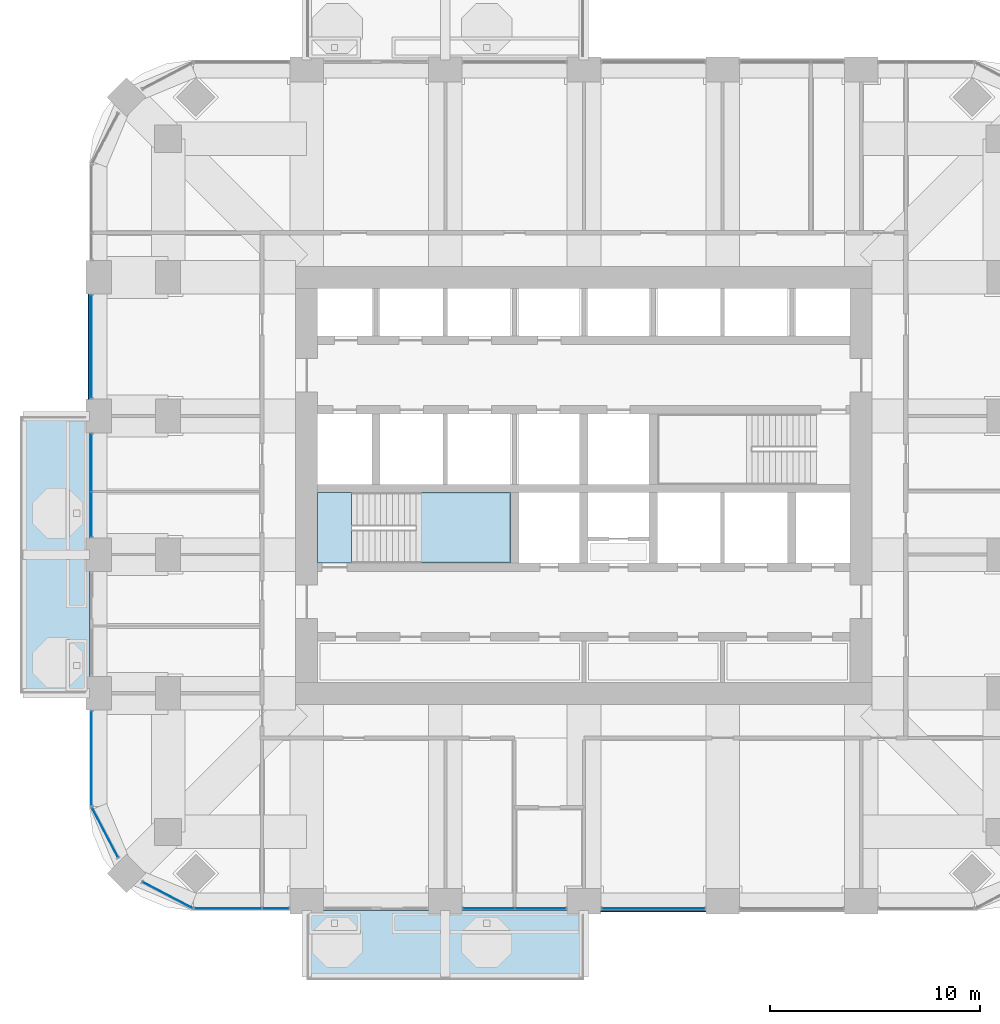
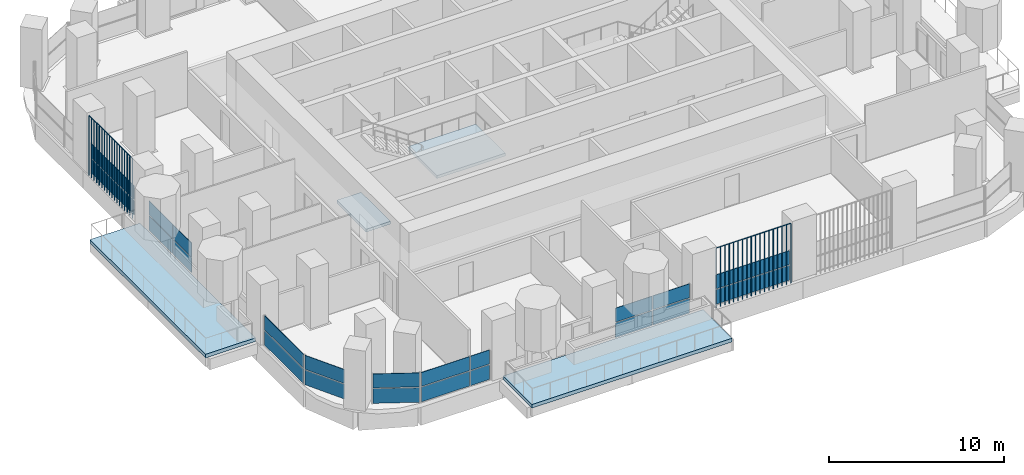
# One storey, part 8 of 20: 24 plates, 4 slabs, 9 elements without a shape of their own.
"""IFC4 building model written with IfcOpenShell, lengths in metres."""

from ifc_helpers import new_model, si_unit, direction, frame, origin, origin_2d, place, context, subcontext, project, spatial, polyline, rectangle, outline, extrude, material, layer, layer_set, type_object, element, aggregate, save


model = new_model("IFC4")

# Units and contexts
model_context = context("Model", 3, precision=1e-05, world=origin(), true_north=direction((0.0, 1.0)))
body_context = subcontext(model_context, "Body", "Model", "MODEL_VIEW")
ifc_project = project(units=[si_unit("LENGTHUNIT", "METRE"), si_unit("AREAUNIT", "SQUARE_METRE"), si_unit("VOLUMEUNIT", "CUBIC_METRE"), si_unit("PLANEANGLEUNIT", "RADIAN"), si_unit("MASSUNIT", "GRAM", prefix="KILO")], contexts=[model_context])

# Site, building, storey
site_placement = place(None, origin())
site = spatial("IfcSite", under=ifc_project, at=site_placement, CompositionType="ELEMENT")
building_placement = place(site_placement, origin())
building = spatial("IfcBuilding", under=site, at=building_placement, Name="Cobogo Forest Laboratory Tower", CompositionType="ELEMENT")
storey_placement = place(building_placement, frame((0.0, 0.0, 218.699951171875)))
storey = spatial("IfcBuildingStorey", under=building, at=storey_placement, Name="L50", CompositionType="ELEMENT", Elevation=218.699951171875)

# Slabs
ifc_material_1 = material(Name="Concrete HA-40 (C40/50)", Category="concrete")
ifc_layer_1 = layer(ifc_material_1, 0.25)
ifc_layer_set_1 = layer_set([ifc_layer_1], Name="Balcony slab 250")
slab_type_1 = type_object("IfcSlabType", Name="Balcony slab 250", PredefinedType="FLOOR", material=ifc_layer_set_1)
slab_1_placement = place(storey_placement, frame((0.0, 0.0, -0.25)))
element("IfcSlab", 1, at=slab_1_placement, inside=storey, type_object=slab_type_1, Name="Balcony BAL-S1 L50", PredefinedType="FLOOR", context=body_context, shape_type="SweptSolid", body=[
    extrude(outline(polyline([(13.199951171875, -0.449951171875), (26.39990234375, -0.449951171875), (26.39990234375, 2.85009765625), (13.199951171875, 2.85009765625), (13.199951171875, -0.449951171875)])), origin(), (0.0, 0.0, 1.0), 0.25),
])
slab_2_placement = place(storey_placement, frame((0.0, 0.0, -0.25)))
element("IfcSlab", 2, at=slab_2_placement, inside=storey, type_object=slab_type_1, Name="Balcony BAL-W1 L50", PredefinedType="FLOOR", context=body_context, shape_type="SweptSolid", body=[
    extrude(outline(polyline([(-0.449951171875, 13.199951171875), (2.85009765625, 13.199951171875), (2.85009765625, 26.39990234375), (-0.449951171875, 26.39990234375), (-0.449951171875, 13.199951171875)])), origin(), (0.0, 0.0, 1.0), 0.25),
])

# Curtain wall, plates
ifc_material_2 = material(Name="Aluminium curtain wall", Category="aluminium")
curtain_wall_type = type_object("IfcCurtainWallType", Name="CW-2 unitised curtain wall, solar control glazing, laboratory floors zones C and D", PredefinedType="USERDEFINED", material=ifc_material_2)
curtain_wall_1_placement = place(storey_placement, origin())
curtain_wall_1 = element("IfcCurtainWall", 3, at=curtain_wall_1_placement, inside=storey, type_object=curtain_wall_type, Name="Curtain wall 01 L50", ObjectType="UNITISED CURTAIN WALL", PredefinedType="USERDEFINED")
ifc_material_3 = material(Name="Solar control insulated glass", Category="glass")
ifc_layer_2 = layer(ifc_material_3, 0.031982421875)
ifc_layer_set_2 = layer_set([ifc_layer_2], Name="GP-2 solar control glass unit 32")
plate_type_1 = type_object("IfcPlateType", Name="GP-2 solar control glass unit 32", PredefinedType="CURTAIN_PANEL", material=ifc_layer_set_2)
plate_1_placement = place(storey_placement, frame((9.452392578125, 2.949951171875, 0.0), z_axis=(0.0, 0.0, 1.0), x_axis=(1.0, 0.0, 0.0)))
plate_1 = element("IfcPlate", 4, at=plate_1_placement, type_object=plate_type_1, Name="CW-2 panel 1.1", PredefinedType="CURTAIN_PANEL", context=body_context, shape_type="SweptSolid", body=[
    extrude(rectangle(XDim=3.18505859375, YDim=0.031982421875, at=origin_2d()), origin(), (0.0, 0.0, 1.0), 1.02001953125),
])
plate_2_placement = place(storey_placement, frame((9.452392578125, 2.949951171875, 1.080078125), z_axis=(0.0, 0.0, 1.0), x_axis=(1.0, 0.0, 0.0)))
plate_2 = element("IfcPlate", 5, at=plate_2_placement, type_object=plate_type_1, Name="CW-2 panel 1.2", PredefinedType="CURTAIN_PANEL", context=body_context, shape_type="SweptSolid", body=[
    extrude(rectangle(XDim=3.18505859375, YDim=0.031982421875, at=origin_2d()), origin(), (0.0, 0.0, 1.0), 0.969970703125),
])
plate_3_placement = place(storey_placement, frame((11.722412109375, 2.949951171875, 0.0), z_axis=(0.0, 0.0, 1.0), x_axis=(1.0, 0.0, 0.0)))
plate_3 = element("IfcPlate", 6, at=plate_3_placement, type_object=plate_type_1, Name="CW-2 panel 2.1", PredefinedType="CURTAIN_PANEL", context=body_context, shape_type="SweptSolid", body=[
    extrude(rectangle(XDim=1.235107421875, YDim=0.031982421875, at=origin_2d()), origin(), (0.0, 0.0, 1.0), 1.02001953125),
])
plate_4_placement = place(storey_placement, frame((11.722412109375, 2.949951171875, 1.080078125), z_axis=(0.0, 0.0, 1.0), x_axis=(1.0, 0.0, 0.0)))
plate_4 = element("IfcPlate", 7, at=plate_4_placement, type_object=plate_type_1, Name="CW-2 panel 2.2", PredefinedType="CURTAIN_PANEL", context=body_context, shape_type="SweptSolid", body=[
    extrude(rectangle(XDim=1.235107421875, YDim=0.031982421875, at=origin_2d()), origin(), (0.0, 0.0, 1.0), 0.969970703125),
])
aggregate(curtain_wall_1, [plate_1, plate_2, plate_3, plate_4])

curtain_wall_2_placement = place(storey_placement, origin())
curtain_wall_2 = element("IfcCurtainWall", 8, at=curtain_wall_2_placement, inside=storey, type_object=curtain_wall_type, Name="Curtain wall 03 L50", ObjectType="UNITISED CURTAIN WALL", PredefinedType="USERDEFINED")
plate_5_placement = place(storey_placement, frame((21.864990234375, 2.949951171875, 0.0), z_axis=(0.0, 0.0, 1.0), x_axis=(1.0, 0.0, 0.0)))
plate_5 = element("IfcPlate", 9, at=plate_5_placement, type_object=plate_type_1, Name="CW-2 panel 1.1", PredefinedType="CURTAIN_PANEL", context=body_context, shape_type="SweptSolid", body=[
    extrude(rectangle(XDim=2.409912109375, YDim=0.031982421875, at=origin_2d()), origin(), (0.0, 0.0, 1.0), 1.02001953125),
])
plate_6_placement = place(storey_placement, frame((21.864990234375, 2.949951171875, 1.080078125), z_axis=(0.0, 0.0, 1.0), x_axis=(1.0, 0.0, 0.0)))
plate_6 = element("IfcPlate", 10, at=plate_6_placement, type_object=plate_type_1, Name="CW-2 panel 1.2", PredefinedType="CURTAIN_PANEL", context=body_context, shape_type="SweptSolid", body=[
    extrude(rectangle(XDim=2.409912109375, YDim=0.031982421875, at=origin_2d()), origin(), (0.0, 0.0, 1.0), 0.969970703125),
])
plate_7_placement = place(storey_placement, frame((24.3349609375, 2.949951171875, 0.0), z_axis=(0.0, 0.0, 1.0), x_axis=(1.0, 0.0, 0.0)))
plate_7 = element("IfcPlate", 11, at=plate_7_placement, type_object=plate_type_1, Name="CW-2 panel 2.1", PredefinedType="CURTAIN_PANEL", context=body_context, shape_type="SweptSolid", body=[
    extrude(rectangle(XDim=2.409912109375, YDim=0.031982421875, at=origin_2d()), origin(), (0.0, 0.0, 1.0), 1.02001953125),
])
plate_8_placement = place(storey_placement, frame((24.3349609375, 2.949951171875, 1.080078125), z_axis=(0.0, 0.0, 1.0), x_axis=(1.0, 0.0, 0.0)))
plate_8 = element("IfcPlate", 12, at=plate_8_placement, type_object=plate_type_1, Name="CW-2 panel 2.2", PredefinedType="CURTAIN_PANEL", context=body_context, shape_type="SweptSolid", body=[
    extrude(rectangle(XDim=2.409912109375, YDim=0.031982421875, at=origin_2d()), origin(), (0.0, 0.0, 1.0), 0.969970703125),
])
aggregate(curtain_wall_2, [plate_5, plate_6, plate_7, plate_8])

curtain_wall_3_placement = place(storey_placement, origin())
curtain_wall_3 = element("IfcCurtainWall", 13, at=curtain_wall_3_placement, inside=storey, type_object=curtain_wall_type, Name="Curtain wall 04 L50", ObjectType="UNITISED CURTAIN WALL", PredefinedType="USERDEFINED")
plate_9_placement = place(storey_placement, frame((29.699951171875, 2.949951171875, 0.0), z_axis=(0.0, 0.0, 1.0), x_axis=(1.0, 0.0, 0.0)))
plate_9 = element("IfcPlate", 14, at=plate_9_placement, type_object=plate_type_1, Name="CW-2 panel 1.1", PredefinedType="CURTAIN_PANEL", context=body_context, shape_type="SweptSolid", body=[
    extrude(rectangle(XDim=4.8798828125, YDim=0.031982421875, at=origin_2d()), origin(), (0.0, 0.0, 1.0), 1.02001953125),
])
plate_10_placement = place(storey_placement, frame((29.699951171875, 2.949951171875, 1.080078125), z_axis=(0.0, 0.0, 1.0), x_axis=(1.0, 0.0, 0.0)))
plate_10 = element("IfcPlate", 15, at=plate_10_placement, type_object=plate_type_1, Name="CW-2 panel 1.2", PredefinedType="CURTAIN_PANEL", context=body_context, shape_type="SweptSolid", body=[
    extrude(rectangle(XDim=4.8798828125, YDim=0.031982421875, at=origin_2d()), origin(), (0.0, 0.0, 1.0), 0.969970703125),
])
aggregate(curtain_wall_3, [plate_9, plate_10])

curtain_wall_4_placement = place(storey_placement, origin())
curtain_wall_4 = element("IfcCurtainWall", 16, at=curtain_wall_4_placement, inside=storey, type_object=curtain_wall_type, Name="Curtain wall 25 L50", ObjectType="UNITISED CURTAIN WALL", PredefinedType="USERDEFINED")
plate_11_placement = place(storey_placement, frame((2.949951171875, 29.699951171875, 0.0), z_axis=(0.0, 0.0, 1.0), x_axis=(0.0, -1.0, 0.0)))
plate_11 = element("IfcPlate", 17, at=plate_11_placement, type_object=plate_type_1, Name="CW-2 panel 1.1", PredefinedType="CURTAIN_PANEL", context=body_context, shape_type="SweptSolid", body=[
    extrude(rectangle(XDim=4.8798828125, YDim=0.031982421875, at=origin_2d()), origin(), (0.0, 0.0, 1.0), 1.02001953125),
])
plate_12_placement = place(storey_placement, frame((2.949951171875, 29.699951171875, 1.080078125), z_axis=(0.0, 0.0, 1.0), x_axis=(0.0, -1.0, 0.0)))
plate_12 = element("IfcPlate", 18, at=plate_12_placement, type_object=plate_type_1, Name="CW-2 panel 1.2", PredefinedType="CURTAIN_PANEL", context=body_context, shape_type="SweptSolid", body=[
    extrude(rectangle(XDim=4.8798828125, YDim=0.031982421875, at=origin_2d()), origin(), (0.0, 0.0, 1.0), 0.969970703125),
])
aggregate(curtain_wall_4, [plate_11, plate_12])

curtain_wall_5_placement = place(storey_placement, origin())
curtain_wall_5 = element("IfcCurtainWall", 19, at=curtain_wall_5_placement, inside=storey, type_object=curtain_wall_type, Name="Curtain wall 26 L50", ObjectType="UNITISED CURTAIN WALL", PredefinedType="USERDEFINED")
plate_13_placement = place(storey_placement, frame((2.949951171875, 24.18505859375, 0.0), z_axis=(0.0, 0.0, 1.0), x_axis=(0.0, -1.0, 0.0)))
plate_13 = element("IfcPlate", 20, at=plate_13_placement, type_object=plate_type_1, Name="CW-2 panel 1.1", PredefinedType="CURTAIN_PANEL", context=body_context, shape_type="SweptSolid", body=[
    extrude(rectangle(XDim=2.7099609375, YDim=0.031982421875, at=origin_2d()), origin(), (0.0, 0.0, 1.0), 1.02001953125),
])
plate_14_placement = place(storey_placement, frame((2.949951171875, 24.18505859375, 1.080078125), z_axis=(0.0, 0.0, 1.0), x_axis=(0.0, -1.0, 0.0)))
plate_14 = element("IfcPlate", 21, at=plate_14_placement, type_object=plate_type_1, Name="CW-2 panel 1.2", PredefinedType="CURTAIN_PANEL", context=body_context, shape_type="SweptSolid", body=[
    extrude(rectangle(XDim=2.7099609375, YDim=0.031982421875, at=origin_2d()), origin(), (0.0, 0.0, 1.0), 0.969970703125),
])
plate_15_placement = place(storey_placement, frame((2.949951171875, 21.715087890625, 0.0), z_axis=(0.0, 0.0, 1.0), x_axis=(0.0, -1.0, 0.0)))
plate_15 = element("IfcPlate", 22, at=plate_15_placement, type_object=plate_type_1, Name="CW-2 panel 2.1", PredefinedType="CURTAIN_PANEL", context=body_context, shape_type="SweptSolid", body=[
    extrude(rectangle(XDim=2.110107421875, YDim=0.031982421875, at=origin_2d()), origin(), (0.0, 0.0, 1.0), 1.02001953125),
])
plate_16_placement = place(storey_placement, frame((2.949951171875, 21.715087890625, 1.080078125), z_axis=(0.0, 0.0, 1.0), x_axis=(0.0, -1.0, 0.0)))
plate_16 = element("IfcPlate", 23, at=plate_16_placement, type_object=plate_type_1, Name="CW-2 panel 2.2", PredefinedType="CURTAIN_PANEL", context=body_context, shape_type="SweptSolid", body=[
    extrude(rectangle(XDim=2.110107421875, YDim=0.031982421875, at=origin_2d()), origin(), (0.0, 0.0, 1.0), 0.969970703125),
])
aggregate(curtain_wall_5, [plate_13, plate_14, plate_15, plate_16])

curtain_wall_6_placement = place(storey_placement, origin())
curtain_wall_6 = element("IfcCurtainWall", 24, at=curtain_wall_6_placement, inside=storey, type_object=curtain_wall_type, Name="Curtain wall 28 L50", ObjectType="UNITISED CURTAIN WALL", PredefinedType="USERDEFINED")
plate_17_placement = place(storey_placement, frame((2.949951171875, 10.10009765625, 0.0), z_axis=(0.0, 0.0, 1.0), x_axis=(0.0, -1.0, 0.0)))
plate_17 = element("IfcPlate", 25, at=plate_17_placement, type_object=plate_type_1, Name="CW-2 panel 1.1", PredefinedType="CURTAIN_PANEL", context=body_context, shape_type="SweptSolid", body=[
    extrude(rectangle(XDim=4.47998046875, YDim=0.031982421875, at=origin_2d()), origin(), (0.0, 0.0, 1.0), 1.02001953125),
])
plate_18_placement = place(storey_placement, frame((2.949951171875, 10.10009765625, 1.080078125), z_axis=(0.0, 0.0, 1.0), x_axis=(0.0, -1.0, 0.0)))
plate_18 = element("IfcPlate", 26, at=plate_18_placement, type_object=plate_type_1, Name="CW-2 panel 1.2", PredefinedType="CURTAIN_PANEL", context=body_context, shape_type="SweptSolid", body=[
    extrude(rectangle(XDim=4.47998046875, YDim=0.031982421875, at=origin_2d()), origin(), (0.0, 0.0, 1.0), 0.969970703125),
])
aggregate(curtain_wall_6, [plate_17, plate_18])

curtain_wall_7_placement = place(storey_placement, origin())
curtain_wall_7 = element("IfcCurtainWall", 27, at=curtain_wall_7_placement, inside=storey, type_object=curtain_wall_type, Name="Curtain wall 29 L50", ObjectType="UNITISED CURTAIN WALL", PredefinedType="USERDEFINED")
plate_19_placement = place(storey_placement, frame((3.59423828125, 6.57080078125, 0.0), z_axis=(0.0, 0.0, 1.0), x_axis=(0.464283685186, -0.885686547075, 0.0)))
plate_19 = element("IfcPlate", 28, at=plate_19_placement, type_object=plate_type_1, Name="CW-2 panel 1.1", PredefinedType="CURTAIN_PANEL", context=body_context, shape_type="SweptSolid", body=[
    extrude(rectangle(XDim=2.655517578125, YDim=0.031982421875, at=origin_2d()), origin(), (0.0, 0.0, 1.0), 1.02001953125),
])
plate_20_placement = place(storey_placement, frame((3.59423828125, 6.57080078125, 1.080078125), z_axis=(0.0, 0.0, 1.0), x_axis=(0.464283685186, -0.885686547075, 0.0)))
plate_20 = element("IfcPlate", 29, at=plate_20_placement, type_object=plate_type_1, Name="CW-2 panel 1.2", PredefinedType="CURTAIN_PANEL", context=body_context, shape_type="SweptSolid", body=[
    extrude(rectangle(XDim=2.655517578125, YDim=0.031982421875, at=origin_2d()), origin(), (0.0, 0.0, 1.0), 0.969970703125),
])
aggregate(curtain_wall_7, [plate_19, plate_20])

curtain_wall_8_placement = place(storey_placement, origin())
curtain_wall_8 = element("IfcCurtainWall", 30, at=curtain_wall_8_placement, inside=storey, type_object=curtain_wall_type, Name="Curtain wall 30 L50", ObjectType="UNITISED CURTAIN WALL", PredefinedType="USERDEFINED")
plate_21_placement = place(storey_placement, frame((6.57080078125, 3.59423828125, 0.0), z_axis=(0.0, 0.0, 1.0), x_axis=(0.885686547075, -0.464283685186, 0.0)))
plate_21 = element("IfcPlate", 31, at=plate_21_placement, type_object=plate_type_1, Name="CW-2 panel 1.1", PredefinedType="CURTAIN_PANEL", context=body_context, shape_type="SweptSolid", body=[
    extrude(rectangle(XDim=2.655517578125, YDim=0.031982421875, at=origin_2d()), origin(), (0.0, 0.0, 1.0), 1.02001953125),
])
plate_22_placement = place(storey_placement, frame((6.57080078125, 3.59423828125, 1.080078125), z_axis=(0.0, 0.0, 1.0), x_axis=(0.885686547075, -0.464283685186, 0.0)))
plate_22 = element("IfcPlate", 32, at=plate_22_placement, type_object=plate_type_1, Name="CW-2 panel 1.2", PredefinedType="CURTAIN_PANEL", context=body_context, shape_type="SweptSolid", body=[
    extrude(rectangle(XDim=2.655517578125, YDim=0.031982421875, at=origin_2d()), origin(), (0.0, 0.0, 1.0), 0.969970703125),
])
aggregate(curtain_wall_8, [plate_21, plate_22])

# Stair, slabs
ifc_material_4 = material(Name="Precast concrete HA-40 (C40/50)", Category="concrete")
stair_type = type_object("IfcStairType", Name="ST24 exit stair 24 risers", PredefinedType="HALF_TURN_STAIR", material=ifc_material_4)
stair_placement = place(storey_placement, origin())
stair = element("IfcStair", 33, at=stair_placement, inside=storey, type_object=stair_type, Name="Stair 1 L50 to L51", PredefinedType="HALF_TURN_STAIR")
ifc_layer_3 = layer(ifc_material_1, 0.199951171875)
ifc_layer_set_3 = layer_set([ifc_layer_3], Name="SL stair landing 200")
slab_type_2 = type_object("IfcSlabType", Name="SL stair landing 200", PredefinedType="LANDING", material=ifc_layer_set_3)
slab_3_placement = place(storey_placement, frame((0.0, 0.0, -0.199951171875)))
slab_3 = element("IfcSlab", 34, at=slab_3_placement, type_object=slab_type_2, Name="ST1 landing 1", PredefinedType="LANDING", context=body_context, shape_type="SweptSolid", body=[
    extrude(outline(polyline([(13.72509765625, 19.39990234375), (15.326904296875, 19.39990234375), (15.326904296875, 22.75), (13.72509765625, 22.75), (13.72509765625, 19.39990234375)])), origin(), (0.0, 0.0, 1.0), 0.199951171875),
])
slab_4_placement = place(storey_placement, frame((0.0, 0.0, 1.900146484375)))
slab_4 = element("IfcSlab", 35, at=slab_4_placement, type_object=slab_type_2, Name="ST1 landing 2", PredefinedType="LANDING", context=body_context, shape_type="SweptSolid", body=[
    extrude(outline(polyline([(18.403076171875, 19.39990234375), (22.89990234375, 19.39990234375), (22.89990234375, 22.75), (18.403076171875, 22.75), (18.403076171875, 19.39990234375)])), origin(), (0.0, 0.0, 1.0), 0.199951171875),
])
aggregate(stair, [slab_3, slab_4])

# Plates
ifc_material_5 = material(Name="Terracotta", Category="masonry")
plate_type_2 = type_object("IfcPlateType", Name="TB1 terracotta baguette screen", PredefinedType="USERDEFINED", material=ifc_material_5)
plate_23_placement = place(storey_placement, frame((27.231201171875, 2.822021484375, -0.14990234375)))
element("IfcPlate", 36, at=plate_23_placement, inside=storey, type_object=plate_type_2, Name="Baguette screen S3 L50", ObjectType="BAGUETTE SCREEN", PredefinedType="USERDEFINED", context=body_context, shape_type="SweptSolid", body=[
    extrude(outline(polyline([(0.02880859375, 0.011962890625), (0.011962890625, 0.02880859375), (-0.011962890625, 0.02880859375), (-0.02880859375, 0.011962890625), (-0.02880859375, -0.011962890625), (-0.011962890625, -0.02880859375), (0.011962890625, -0.02880859375), (0.02880859375, -0.011962890625), (0.02880859375, 0.011962890625)])), frame((0.0, 0.0, 4.168701171875), z_axis=(1.0, 0.0, 0.0), x_axis=(0.0, 1.0, 0.0)), (0.0, 0.0, 1.0), 4.9375),
    extrude(outline(polyline([(0.02880859375, 0.011962890625), (0.011962890625, 0.02880859375), (-0.011962890625, 0.02880859375), (-0.02880859375, 0.011962890625), (-0.02880859375, -0.011962890625), (-0.011962890625, -0.02880859375), (0.011962890625, -0.02880859375), (0.02880859375, -0.011962890625), (0.02880859375, 0.011962890625)])), origin(), (0.0, 0.0, 1.0), 4.137451171875),
    extrude(outline(polyline([(0.02880859375, 0.011962890625), (0.011962890625, 0.02880859375), (-0.011962890625, 0.02880859375), (-0.02880859375, 0.011962890625), (-0.02880859375, -0.011962890625), (-0.011962890625, -0.02880859375), (0.011962890625, -0.02880859375), (0.02880859375, -0.011962890625), (0.02880859375, 0.011962890625)])), frame((0.29052734375, 0.0, 0.0)), (0.0, 0.0, 1.0), 4.137451171875),
    extrude(outline(polyline([(0.02880859375, 0.011962890625), (0.011962890625, 0.02880859375), (-0.011962890625, 0.02880859375), (-0.02880859375, 0.011962890625), (-0.02880859375, -0.011962890625), (-0.011962890625, -0.02880859375), (0.011962890625, -0.02880859375), (0.02880859375, -0.011962890625), (0.02880859375, 0.011962890625)])), frame((0.580810546875, 0.0, 0.0)), (0.0, 0.0, 1.0), 4.137451171875),
    extrude(outline(polyline([(0.02880859375, 0.011962890625), (0.011962890625, 0.02880859375), (-0.011962890625, 0.02880859375), (-0.02880859375, 0.011962890625), (-0.02880859375, -0.011962890625), (-0.011962890625, -0.02880859375), (0.011962890625, -0.02880859375), (0.02880859375, -0.011962890625), (0.02880859375, 0.011962890625)])), frame((0.871337890625, 0.0, 0.0)), (0.0, 0.0, 1.0), 4.137451171875),
    extrude(outline(polyline([(0.02880859375, 0.011962890625), (0.011962890625, 0.02880859375), (-0.011962890625, 0.02880859375), (-0.02880859375, 0.011962890625), (-0.02880859375, -0.011962890625), (-0.011962890625, -0.02880859375), (0.011962890625, -0.02880859375), (0.02880859375, -0.011962890625), (0.02880859375, 0.011962890625)])), frame((1.161865234375, 0.0, 0.0)), (0.0, 0.0, 1.0), 4.137451171875),
    extrude(outline(polyline([(0.02880859375, 0.011962890625), (0.011962890625, 0.02880859375), (-0.011962890625, 0.02880859375), (-0.02880859375, 0.011962890625), (-0.02880859375, -0.011962890625), (-0.011962890625, -0.02880859375), (0.011962890625, -0.02880859375), (0.02880859375, -0.011962890625), (0.02880859375, 0.011962890625)])), frame((1.4521484375, 0.0, 0.0)), (0.0, 0.0, 1.0), 4.137451171875),
    extrude(outline(polyline([(0.02880859375, 0.011962890625), (0.011962890625, 0.02880859375), (-0.011962890625, 0.02880859375), (-0.02880859375, 0.011962890625), (-0.02880859375, -0.011962890625), (-0.011962890625, -0.02880859375), (0.011962890625, -0.02880859375), (0.02880859375, -0.011962890625), (0.02880859375, 0.011962890625)])), frame((1.74267578125, 0.0, 0.0)), (0.0, 0.0, 1.0), 4.137451171875),
    extrude(outline(polyline([(0.02880859375, 0.011962890625), (0.011962890625, 0.02880859375), (-0.011962890625, 0.02880859375), (-0.02880859375, 0.011962890625), (-0.02880859375, -0.011962890625), (-0.011962890625, -0.02880859375), (0.011962890625, -0.02880859375), (0.02880859375, -0.011962890625), (0.02880859375, 0.011962890625)])), frame((2.033203125, 0.0, 0.0)), (0.0, 0.0, 1.0), 4.137451171875),
    extrude(outline(polyline([(0.02880859375, 0.011962890625), (0.011962890625, 0.02880859375), (-0.011962890625, 0.02880859375), (-0.02880859375, 0.011962890625), (-0.02880859375, -0.011962890625), (-0.011962890625, -0.02880859375), (0.011962890625, -0.02880859375), (0.02880859375, -0.011962890625), (0.02880859375, 0.011962890625)])), frame((2.323486328125, 0.0, 0.0)), (0.0, 0.0, 1.0), 4.137451171875),
    extrude(outline(polyline([(0.02880859375, 0.011962890625), (0.011962890625, 0.02880859375), (-0.011962890625, 0.02880859375), (-0.02880859375, 0.011962890625), (-0.02880859375, -0.011962890625), (-0.011962890625, -0.02880859375), (0.011962890625, -0.02880859375), (0.02880859375, -0.011962890625), (0.02880859375, 0.011962890625)])), frame((2.614013671875, 0.0, 0.0)), (0.0, 0.0, 1.0), 4.137451171875),
    extrude(outline(polyline([(0.02880859375, 0.011962890625), (0.011962890625, 0.02880859375), (-0.011962890625, 0.02880859375), (-0.02880859375, 0.011962890625), (-0.02880859375, -0.011962890625), (-0.011962890625, -0.02880859375), (0.011962890625, -0.02880859375), (0.02880859375, -0.011962890625), (0.02880859375, 0.011962890625)])), frame((2.904296875, 0.0, 0.0)), (0.0, 0.0, 1.0), 4.137451171875),
    extrude(outline(polyline([(0.02880859375, 0.011962890625), (0.011962890625, 0.02880859375), (-0.011962890625, 0.02880859375), (-0.02880859375, 0.011962890625), (-0.02880859375, -0.011962890625), (-0.011962890625, -0.02880859375), (0.011962890625, -0.02880859375), (0.02880859375, -0.011962890625), (0.02880859375, 0.011962890625)])), frame((3.19482421875, 0.0, 0.0)), (0.0, 0.0, 1.0), 4.137451171875),
    extrude(outline(polyline([(0.02880859375, 0.011962890625), (0.011962890625, 0.02880859375), (-0.011962890625, 0.02880859375), (-0.02880859375, 0.011962890625), (-0.02880859375, -0.011962890625), (-0.011962890625, -0.02880859375), (0.011962890625, -0.02880859375), (0.02880859375, -0.011962890625), (0.02880859375, 0.011962890625)])), frame((3.4853515625, 0.0, 0.0)), (0.0, 0.0, 1.0), 4.137451171875),
    extrude(outline(polyline([(0.02880859375, 0.011962890625), (0.011962890625, 0.02880859375), (-0.011962890625, 0.02880859375), (-0.02880859375, 0.011962890625), (-0.02880859375, -0.011962890625), (-0.011962890625, -0.02880859375), (0.011962890625, -0.02880859375), (0.02880859375, -0.011962890625), (0.02880859375, 0.011962890625)])), frame((3.775634765625, 0.0, 0.0)), (0.0, 0.0, 1.0), 4.137451171875),
    extrude(outline(polyline([(0.02880859375, 0.011962890625), (0.011962890625, 0.02880859375), (-0.011962890625, 0.02880859375), (-0.02880859375, 0.011962890625), (-0.02880859375, -0.011962890625), (-0.011962890625, -0.02880859375), (0.011962890625, -0.02880859375), (0.02880859375, -0.011962890625), (0.02880859375, 0.011962890625)])), frame((4.066162109375, 0.0, 0.0)), (0.0, 0.0, 1.0), 4.137451171875),
    extrude(outline(polyline([(0.02880859375, 0.011962890625), (0.011962890625, 0.02880859375), (-0.011962890625, 0.02880859375), (-0.02880859375, 0.011962890625), (-0.02880859375, -0.011962890625), (-0.011962890625, -0.02880859375), (0.011962890625, -0.02880859375), (0.02880859375, -0.011962890625), (0.02880859375, 0.011962890625)])), frame((4.356689453125, 0.0, 0.0)), (0.0, 0.0, 1.0), 4.137451171875),
    extrude(outline(polyline([(0.02880859375, 0.011962890625), (0.011962890625, 0.02880859375), (-0.011962890625, 0.02880859375), (-0.02880859375, 0.011962890625), (-0.02880859375, -0.011962890625), (-0.011962890625, -0.02880859375), (0.011962890625, -0.02880859375), (0.02880859375, -0.011962890625), (0.02880859375, 0.011962890625)])), frame((4.64697265625, 0.0, 0.0)), (0.0, 0.0, 1.0), 4.137451171875),
    extrude(outline(polyline([(0.02880859375, 0.011962890625), (0.011962890625, 0.02880859375), (-0.011962890625, 0.02880859375), (-0.02880859375, 0.011962890625), (-0.02880859375, -0.011962890625), (-0.011962890625, -0.02880859375), (0.011962890625, -0.02880859375), (0.02880859375, -0.011962890625), (0.02880859375, 0.011962890625)])), frame((4.9375, 0.0, 0.0)), (0.0, 0.0, 1.0), 4.137451171875),
])
plate_24_placement = place(storey_placement, frame((2.822021484375, 27.231201171875, -0.14990234375)))
element("IfcPlate", 37, at=plate_24_placement, inside=storey, type_object=plate_type_2, Name="Baguette screen W3 L50", ObjectType="BAGUETTE SCREEN", PredefinedType="USERDEFINED", context=body_context, shape_type="SweptSolid", body=[
    extrude(outline(polyline([(0.02880859375, 0.011962890625), (0.011962890625, 0.02880859375), (-0.011962890625, 0.02880859375), (-0.02880859375, 0.011962890625), (-0.02880859375, -0.011962890625), (-0.011962890625, -0.02880859375), (0.011962890625, -0.02880859375), (0.02880859375, -0.011962890625), (0.02880859375, 0.011962890625)])), frame((0.0, 0.0, 4.168701171875), z_axis=(0.0, 1.0, 0.0), x_axis=(-1.0, 0.0, 0.0)), (0.0, 0.0, 1.0), 4.9375),
    extrude(outline(polyline([(0.02880859375, 0.011962890625), (0.011962890625, 0.02880859375), (-0.011962890625, 0.02880859375), (-0.02880859375, 0.011962890625), (-0.02880859375, -0.011962890625), (-0.011962890625, -0.02880859375), (0.011962890625, -0.02880859375), (0.02880859375, -0.011962890625), (0.02880859375, 0.011962890625)])), origin(), (0.0, 0.0, 1.0), 4.137451171875),
    extrude(outline(polyline([(0.02880859375, 0.011962890625), (0.011962890625, 0.02880859375), (-0.011962890625, 0.02880859375), (-0.02880859375, 0.011962890625), (-0.02880859375, -0.011962890625), (-0.011962890625, -0.02880859375), (0.011962890625, -0.02880859375), (0.02880859375, -0.011962890625), (0.02880859375, 0.011962890625)])), frame((0.0, 0.29052734375, 0.0)), (0.0, 0.0, 1.0), 4.137451171875),
    extrude(outline(polyline([(0.02880859375, 0.011962890625), (0.011962890625, 0.02880859375), (-0.011962890625, 0.02880859375), (-0.02880859375, 0.011962890625), (-0.02880859375, -0.011962890625), (-0.011962890625, -0.02880859375), (0.011962890625, -0.02880859375), (0.02880859375, -0.011962890625), (0.02880859375, 0.011962890625)])), frame((0.0, 0.580810546875, 0.0)), (0.0, 0.0, 1.0), 4.137451171875),
    extrude(outline(polyline([(0.02880859375, 0.011962890625), (0.011962890625, 0.02880859375), (-0.011962890625, 0.02880859375), (-0.02880859375, 0.011962890625), (-0.02880859375, -0.011962890625), (-0.011962890625, -0.02880859375), (0.011962890625, -0.02880859375), (0.02880859375, -0.011962890625), (0.02880859375, 0.011962890625)])), frame((0.0, 0.871337890625, 0.0)), (0.0, 0.0, 1.0), 4.137451171875),
    extrude(outline(polyline([(0.02880859375, 0.011962890625), (0.011962890625, 0.02880859375), (-0.011962890625, 0.02880859375), (-0.02880859375, 0.011962890625), (-0.02880859375, -0.011962890625), (-0.011962890625, -0.02880859375), (0.011962890625, -0.02880859375), (0.02880859375, -0.011962890625), (0.02880859375, 0.011962890625)])), frame((0.0, 1.161865234375, 0.0)), (0.0, 0.0, 1.0), 4.137451171875),
    extrude(outline(polyline([(0.02880859375, 0.011962890625), (0.011962890625, 0.02880859375), (-0.011962890625, 0.02880859375), (-0.02880859375, 0.011962890625), (-0.02880859375, -0.011962890625), (-0.011962890625, -0.02880859375), (0.011962890625, -0.02880859375), (0.02880859375, -0.011962890625), (0.02880859375, 0.011962890625)])), frame((0.0, 1.4521484375, 0.0)), (0.0, 0.0, 1.0), 4.137451171875),
    extrude(outline(polyline([(0.02880859375, 0.011962890625), (0.011962890625, 0.02880859375), (-0.011962890625, 0.02880859375), (-0.02880859375, 0.011962890625), (-0.02880859375, -0.011962890625), (-0.011962890625, -0.02880859375), (0.011962890625, -0.02880859375), (0.02880859375, -0.011962890625), (0.02880859375, 0.011962890625)])), frame((0.0, 1.74267578125, 0.0)), (0.0, 0.0, 1.0), 4.137451171875),
    extrude(outline(polyline([(0.02880859375, 0.011962890625), (0.011962890625, 0.02880859375), (-0.011962890625, 0.02880859375), (-0.02880859375, 0.011962890625), (-0.02880859375, -0.011962890625), (-0.011962890625, -0.02880859375), (0.011962890625, -0.02880859375), (0.02880859375, -0.011962890625), (0.02880859375, 0.011962890625)])), frame((0.0, 2.033203125, 0.0)), (0.0, 0.0, 1.0), 4.137451171875),
    extrude(outline(polyline([(0.02880859375, 0.011962890625), (0.011962890625, 0.02880859375), (-0.011962890625, 0.02880859375), (-0.02880859375, 0.011962890625), (-0.02880859375, -0.011962890625), (-0.011962890625, -0.02880859375), (0.011962890625, -0.02880859375), (0.02880859375, -0.011962890625), (0.02880859375, 0.011962890625)])), frame((0.0, 2.323486328125, 0.0)), (0.0, 0.0, 1.0), 4.137451171875),
    extrude(outline(polyline([(0.02880859375, 0.011962890625), (0.011962890625, 0.02880859375), (-0.011962890625, 0.02880859375), (-0.02880859375, 0.011962890625), (-0.02880859375, -0.011962890625), (-0.011962890625, -0.02880859375), (0.011962890625, -0.02880859375), (0.02880859375, -0.011962890625), (0.02880859375, 0.011962890625)])), frame((0.0, 2.614013671875, 0.0)), (0.0, 0.0, 1.0), 4.137451171875),
    extrude(outline(polyline([(0.02880859375, 0.011962890625), (0.011962890625, 0.02880859375), (-0.011962890625, 0.02880859375), (-0.02880859375, 0.011962890625), (-0.02880859375, -0.011962890625), (-0.011962890625, -0.02880859375), (0.011962890625, -0.02880859375), (0.02880859375, -0.011962890625), (0.02880859375, 0.011962890625)])), frame((0.0, 2.904296875, 0.0)), (0.0, 0.0, 1.0), 4.137451171875),
    extrude(outline(polyline([(0.02880859375, 0.011962890625), (0.011962890625, 0.02880859375), (-0.011962890625, 0.02880859375), (-0.02880859375, 0.011962890625), (-0.02880859375, -0.011962890625), (-0.011962890625, -0.02880859375), (0.011962890625, -0.02880859375), (0.02880859375, -0.011962890625), (0.02880859375, 0.011962890625)])), frame((0.0, 3.19482421875, 0.0)), (0.0, 0.0, 1.0), 4.137451171875),
    extrude(outline(polyline([(0.02880859375, 0.011962890625), (0.011962890625, 0.02880859375), (-0.011962890625, 0.02880859375), (-0.02880859375, 0.011962890625), (-0.02880859375, -0.011962890625), (-0.011962890625, -0.02880859375), (0.011962890625, -0.02880859375), (0.02880859375, -0.011962890625), (0.02880859375, 0.011962890625)])), frame((0.0, 3.4853515625, 0.0)), (0.0, 0.0, 1.0), 4.137451171875),
    extrude(outline(polyline([(0.02880859375, 0.011962890625), (0.011962890625, 0.02880859375), (-0.011962890625, 0.02880859375), (-0.02880859375, 0.011962890625), (-0.02880859375, -0.011962890625), (-0.011962890625, -0.02880859375), (0.011962890625, -0.02880859375), (0.02880859375, -0.011962890625), (0.02880859375, 0.011962890625)])), frame((0.0, 3.775634765625, 0.0)), (0.0, 0.0, 1.0), 4.137451171875),
    extrude(outline(polyline([(0.02880859375, 0.011962890625), (0.011962890625, 0.02880859375), (-0.011962890625, 0.02880859375), (-0.02880859375, 0.011962890625), (-0.02880859375, -0.011962890625), (-0.011962890625, -0.02880859375), (0.011962890625, -0.02880859375), (0.02880859375, -0.011962890625), (0.02880859375, 0.011962890625)])), frame((0.0, 4.066162109375, 0.0)), (0.0, 0.0, 1.0), 4.137451171875),
    extrude(outline(polyline([(0.02880859375, 0.011962890625), (0.011962890625, 0.02880859375), (-0.011962890625, 0.02880859375), (-0.02880859375, 0.011962890625), (-0.02880859375, -0.011962890625), (-0.011962890625, -0.02880859375), (0.011962890625, -0.02880859375), (0.02880859375, -0.011962890625), (0.02880859375, 0.011962890625)])), frame((0.0, 4.356689453125, 0.0)), (0.0, 0.0, 1.0), 4.137451171875),
    extrude(outline(polyline([(0.02880859375, 0.011962890625), (0.011962890625, 0.02880859375), (-0.011962890625, 0.02880859375), (-0.02880859375, 0.011962890625), (-0.02880859375, -0.011962890625), (-0.011962890625, -0.02880859375), (0.011962890625, -0.02880859375), (0.02880859375, -0.011962890625), (0.02880859375, 0.011962890625)])), frame((0.0, 4.64697265625, 0.0)), (0.0, 0.0, 1.0), 4.137451171875),
    extrude(outline(polyline([(0.02880859375, 0.011962890625), (0.011962890625, 0.02880859375), (-0.011962890625, 0.02880859375), (-0.02880859375, 0.011962890625), (-0.02880859375, -0.011962890625), (-0.011962890625, -0.02880859375), (0.011962890625, -0.02880859375), (0.02880859375, -0.011962890625), (0.02880859375, 0.011962890625)])), frame((0.0, 4.9375, 0.0)), (0.0, 0.0, 1.0), 4.137451171875),
])

save(model, "model.ifc")
